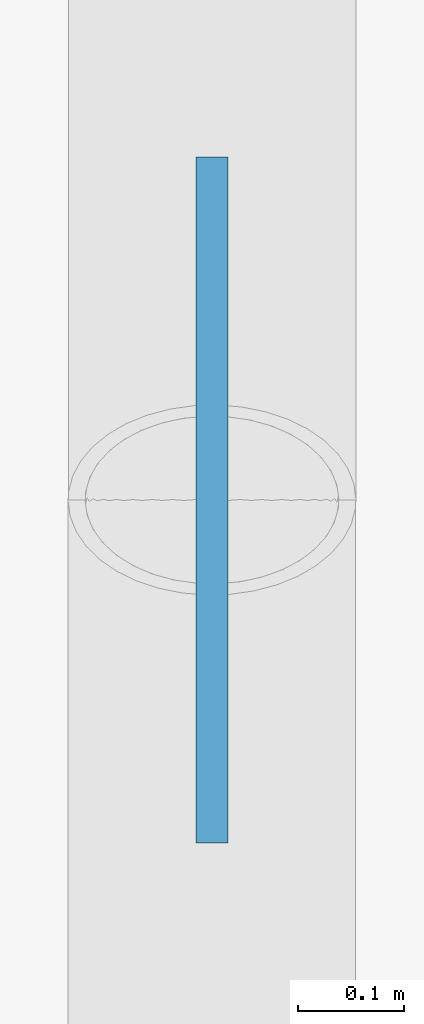
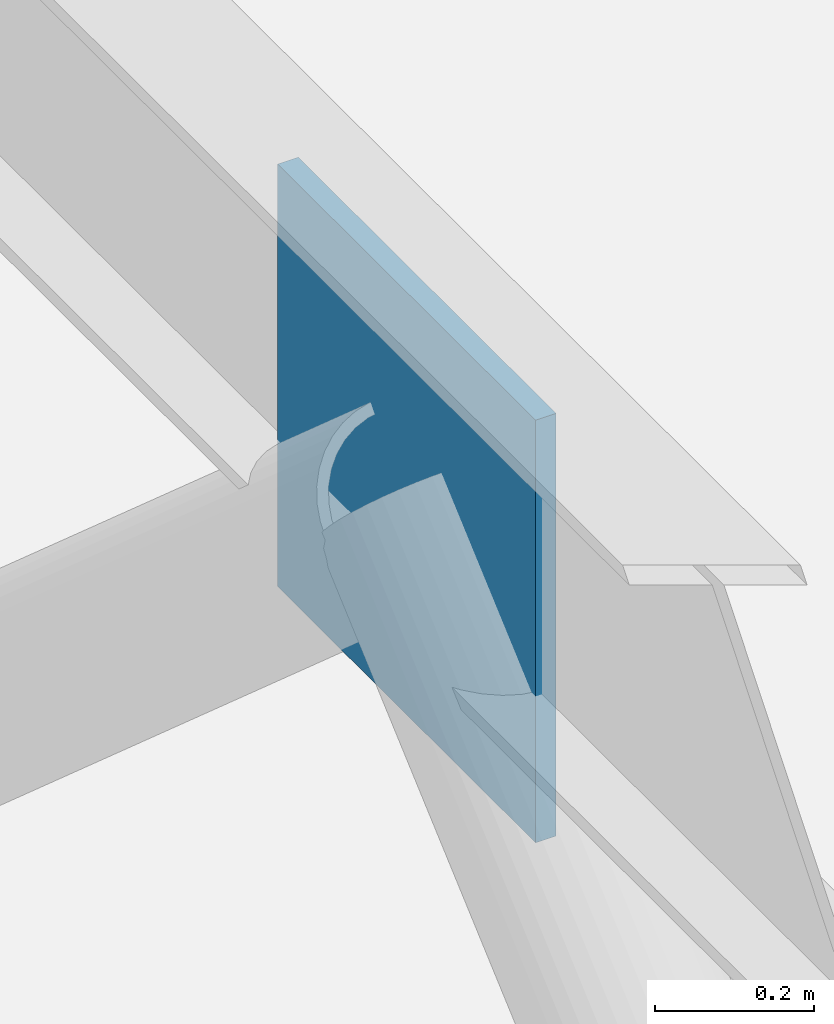
# One storey, part 26 of 34: 1 plate.
"""IFC4 building model written with IfcOpenShell, lengths in metres."""

import ifcopenshell
import ifcopenshell.guid

model = None  # the IFC model being written
_history = None  # IfcOwnerHistory: only IFC2X3 demands one
_inside = {}  # id of a spatial element -> (the spatial element, [elements in it])
_under = {}  # id of a project, library or spatial element -> (it, [spatial elements below it])
_declared = {}  # id of a project -> (the project, [libraries it declares])
_typed = {}  # id of a type object -> (the type object, [elements of that type])
_made_of = {}  # id of a material, layer set ... -> (it, [elements and type objects made of it])


def new_model(schema):
    """Start an empty IFC model of exactly this schema.

    Asked for "IFC4X3", IfcOpenShell would pick the latest addendum, in which some entities
    have other attributes; the version numbers below select the first issue.
    IFC2X3 requires an IfcOwnerHistory on every rooted entity: one is made here for all.
    """
    global model, _history
    if schema == "IFC4X3":
        model = ifcopenshell.file(schema_version=(4, 3, 0, 0))
    else:
        model = ifcopenshell.file(schema=schema)
    _inside.clear()
    _under.clear()
    _declared.clear()
    _typed.clear()
    _made_of.clear()
    _history = None
    if model.schema == "IFC2X3":
        org = make("IfcOrganization", Name="unknown")
        user = make(
            "IfcPersonAndOrganization",
            ThePerson=make("IfcPerson", FamilyName="unknown"),
            TheOrganization=org,
        )
        app = make(
            "IfcApplication",
            ApplicationDeveloper=org,
            Version="unknown",
            ApplicationFullName="unknown",
            ApplicationIdentifier="unknown",
        )
        _history = make(
            "IfcOwnerHistory",
            OwningUser=user,
            OwningApplication=app,
            ChangeAction="ADDED",
            CreationDate=0,
        )
    return model


def make(cls, **values):
    """One entity of the class cls with the attributes given. An attribute that is None is left unset."""
    return model.create_entity(
        cls, **{name: value for name, value in values.items() if value is not None}
    )


def rooted(cls, **values):
    """An entity with a GlobalId (a new one), such as an element, a storey or a relation."""
    return make(cls, GlobalId=ifcopenshell.guid.new(), OwnerHistory=_history, **values)


def si_unit(unit_type, name, prefix=None):
    """IfcSIUnit, for example si_unit("LENGTHUNIT", "METRE", prefix="MILLI")."""
    return make("IfcSIUnit", UnitType=unit_type, Prefix=prefix, Name=name)


def assignment(units):
    """IfcUnitAssignment: the units of a project."""
    return None if units is None else make("IfcUnitAssignment", Units=units)


def point(xyz):
    """IfcCartesianPoint."""
    return None if xyz is None else make("IfcCartesianPoint", Coordinates=xyz)


def direction(xyz):
    """IfcDirection."""
    return None if xyz is None else make("IfcDirection", DirectionRatios=xyz)


def frame(location, z_axis=None, x_axis=None):
    """IfcAxis2Placement3D, a coordinate frame: its origin and axes. An axis left out is left unset."""
    return make(
        "IfcAxis2Placement3D",
        Location=point(location),
        Axis=direction(z_axis),
        RefDirection=direction(x_axis),
    )


def frame_2d(location, x_axis=None):
    """IfcAxis2Placement2D, a coordinate frame in the plane: its origin and x axis."""
    return make(
        "IfcAxis2Placement2D", Location=point(location), RefDirection=direction(x_axis)
    )


def origin():
    """The frame at (0, 0, 0) with its axes left unset."""
    return frame((0.0, 0.0, 0.0))


def origin_2d():
    """The frame at (0, 0) in the plane with its x axis left unset."""
    return frame_2d((0.0, 0.0))


def place(relative_to, where):
    """IfcLocalPlacement: puts the frame where relative to a parent placement (None: the world)."""
    return make(
        "IfcLocalPlacement", PlacementRelTo=relative_to, RelativePlacement=where
    )


def context(
    kind, dimensions, precision=None, world=None, true_north=None, identifier=None
):
    """IfcGeometricRepresentationContext, for example the 3D "Model" context."""
    return make(
        "IfcGeometricRepresentationContext",
        ContextIdentifier=identifier,
        ContextType=kind,
        CoordinateSpaceDimension=dimensions,
        Precision=precision,
        WorldCoordinateSystem=world,
        TrueNorth=true_north,
    )


def subcontext(parent, identifier, kind, view, scale=None):
    """IfcGeometricRepresentationSubContext, for example "Body" below "Model"."""
    return make(
        "IfcGeometricRepresentationSubContext",
        ContextIdentifier=identifier,
        ContextType=kind,
        ParentContext=parent,
        TargetScale=scale,
        TargetView=view,
    )


def project(units=None, contexts=None):
    """IfcProject with its units and contexts."""
    return rooted(
        "IfcProject",
        Name="project",
        RepresentationContexts=contexts,
        UnitsInContext=assignment(units),
    )


def spatial(cls, under=None, at=None, **own):
    """A site, building, storey or space (cls), placed at a placement, below another one or the project."""
    s = rooted(cls, ObjectPlacement=at, **own)
    if under is not None:
        _under.setdefault(under.id(), (under, []))[1].append(s)
    return s


def profile(cls, at=None, kind="AREA", **sizes):
    """A parametric profile (cls). Its sizes go by their IFC names, for example OverallWidth=200.0."""
    return make(cls, ProfileType=kind, Position=at, **sizes)


def rectangle(**sizes):
    """IfcRectangleProfileDef."""
    return profile("IfcRectangleProfileDef", **sizes)


def extrude(swept, where, along, depth):
    """IfcExtrudedAreaSolid: the profile swept, set in the frame where, extruded along a direction by depth."""
    return make(
        "IfcExtrudedAreaSolid",
        SweptArea=swept,
        Position=where,
        ExtrudedDirection=direction(along),
        Depth=depth,
    )


def shape(context_of_items, identifier, shape_type, items):
    """IfcShapeRepresentation: the items that make up one representation, for example the "Body"."""
    return make(
        "IfcShapeRepresentation",
        ContextOfItems=context_of_items,
        RepresentationIdentifier=identifier,
        RepresentationType=shape_type,
        Items=items,
    )


def material(Name=None, Category=None):
    """IfcMaterial."""
    return make("IfcMaterial", Name=Name, Category=Category)


def layer(
    of_material, thickness, ventilated=None, Name=None, Category=None, Priority=None
):
    """IfcMaterialLayer: one layer of a wall or slab, of a material (None: an air gap)."""
    return make(
        "IfcMaterialLayer",
        Material=of_material,
        LayerThickness=thickness,
        IsVentilated=ventilated,
        Name=Name,
        Category=Category,
        Priority=Priority,
    )


def layer_set(layers, Name=None):
    """IfcMaterialLayerSet."""
    return make("IfcMaterialLayerSet", MaterialLayers=layers, LayerSetName=Name)


def made_of(thing, what):
    """Note that an element or type object is made of a material, layer set ...; save() writes the relation."""
    if what is not None:
        _made_of.setdefault(what.id(), (what, []))[1].append(thing)
    return thing


def type_object(cls, material=None, **own):
    """A type object (cls), such as IfcWallType, which elements share."""
    return made_of(rooted(cls, **own), material)


def element(
    cls,
    number,
    at=None,
    inside=None,
    cuts=None,
    type_object=None,
    material=None,
    context=None,
    identifier="Body",
    shape_type=None,
    held_by="IfcProductDefinitionShape",
    body=None,
    shapes=None,
    **own,
):
    """One element of the class cls, such as IfcWall. Its Tag is "e" and its number.

    at: its placement. inside: the storey or other place that contains it. cuts: it is an
    opening in that element (IfcRelVoidsElement). A single representation is given by context,
    identifier, shape_type and body (its items); several are given by shapes. held_by: the class
    of the entity that holds the representations. save() writes the other relations.
    """
    e = rooted(cls, Tag="e%d" % number, ObjectPlacement=at, **own)
    if body is not None:
        shapes = [shape(context, identifier, shape_type, body)]
    if shapes is not None:
        e.Representation = make(held_by, Representations=shapes)
    if inside is not None:
        _inside.setdefault(inside.id(), (inside, []))[1].append(e)
    if cuts is not None:
        rooted(
            "IfcRelVoidsElement", RelatingBuildingElement=cuts, RelatedOpeningElement=e
        )
    if type_object is not None:
        _typed.setdefault(type_object.id(), (type_object, []))[1].append(e)
    return made_of(e, material)


def aggregate(whole, parts):
    """IfcRelAggregates: a whole, such as a stair, and the parts it consists of."""
    return rooted("IfcRelAggregates", RelatingObject=whole, RelatedObjects=parts)


def save(model, path):
    """Write the relations noted so far, then the file.

    IfcRelAggregates (storeys below a building ...), IfcRelContainedInSpatialStructure (elements
    in a storey), IfcRelDefinesByType, IfcRelAssociatesMaterial and IfcRelDeclares: one each for
    every whole, place, type object, material and project.
    """
    for whole, parts in _under.values():
        aggregate(whole, parts)
    for where, things in _inside.values():
        rooted(
            "IfcRelContainedInSpatialStructure",
            RelatedElements=things,
            RelatingStructure=where,
        )
    for kind, things in _typed.values():
        rooted("IfcRelDefinesByType", RelatedObjects=things, RelatingType=kind)
    for what, things in _made_of.values():
        rooted("IfcRelAssociatesMaterial", RelatedObjects=things, RelatingMaterial=what)
    for by, libraries in _declared.values():
        rooted("IfcRelDeclares", RelatingContext=by, RelatedDefinitions=libraries)
    model.write(path)


model = new_model("IFC4")

# Units and contexts
model_context = context("Model", 3, precision=1e-05, world=origin(), true_north=direction((0.0, 1.0)))
body_context = subcontext(model_context, "Body", "Model", "MODEL_VIEW")
ifc_project = project(units=[si_unit("LENGTHUNIT", "METRE"), si_unit("AREAUNIT", "SQUARE_METRE"), si_unit("VOLUMEUNIT", "CUBIC_METRE"), si_unit("PLANEANGLEUNIT", "RADIAN"), si_unit("MASSUNIT", "GRAM", prefix="KILO")], contexts=[model_context])

# Site, building, storey
site_placement = place(None, origin())
site = spatial("IfcSite", under=ifc_project, at=site_placement, CompositionType="ELEMENT")
building_placement = place(site_placement, origin())
building = spatial("IfcBuilding", under=site, at=building_placement, Name="Varnela Railside Interchange", CompositionType="ELEMENT")
storey_placement = place(building_placement, frame((0.0, 0.0, 19.60009765625)))
storey = spatial("IfcBuildingStorey", under=building, at=storey_placement, Name="L04", CompositionType="ELEMENT", Elevation=19.60009765625)

# Plate
ifc_material = material(Name="Steel AR 350 (350 MPa)", Category="steel")
ifc_layer = layer(ifc_material, 0.64990234375)
ifc_layer_set = layer_set([ifc_layer], Name="Steel AR 350 (350 MPa)")
plate_type = type_object("IfcPlateType", Name="Brace Gusset Plate GP-01", PredefinedType="SHEET", material=ifc_layer_set)
plate_placement = place(storey_placement, frame((124.0, 74.0, 3.344970703125), z_axis=(0.0, 0.0, 1.0), x_axis=(0.0, 1.0, 0.0)))
element("IfcPlate", 1, at=plate_placement, inside=storey, type_object=plate_type, Name="Brace Gusset Plate GP-01 (L04) (PL-036)", PredefinedType="SHEET", context=body_context, shape_type="SweptSolid", body=[
    extrude(rectangle(XDim=0.64990234375, YDim=0.030029296875, at=origin_2d()), origin(), (0.0, 0.0, 1.0), 0.64990234375),
])

save(model, "model.ifc")
